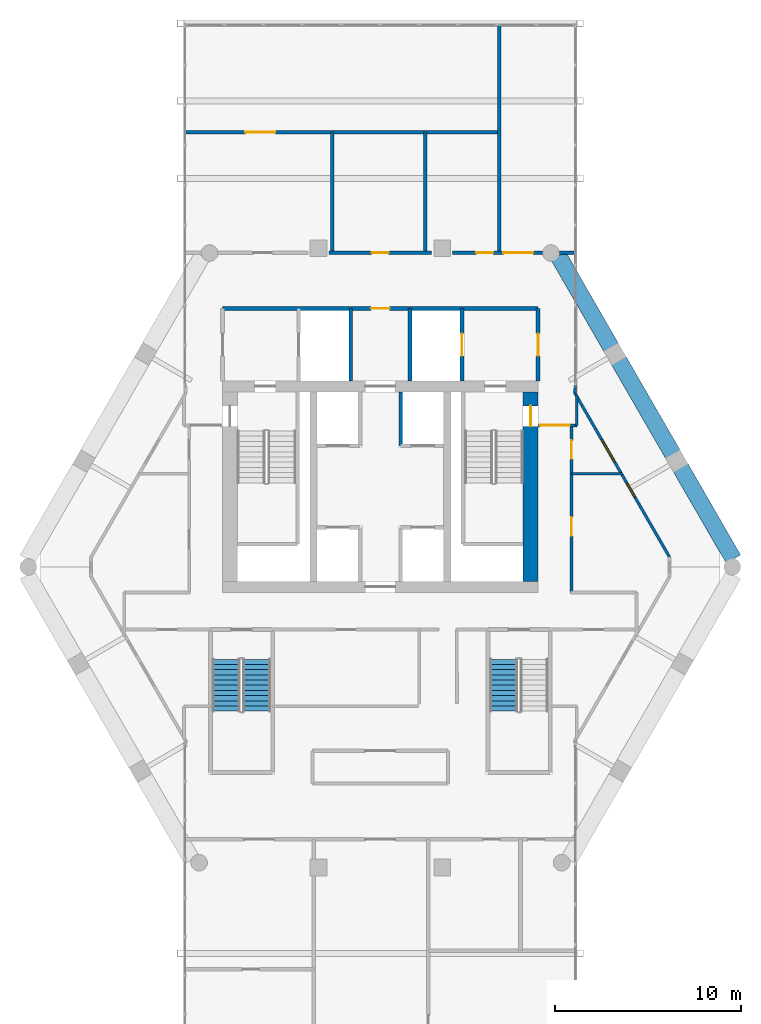
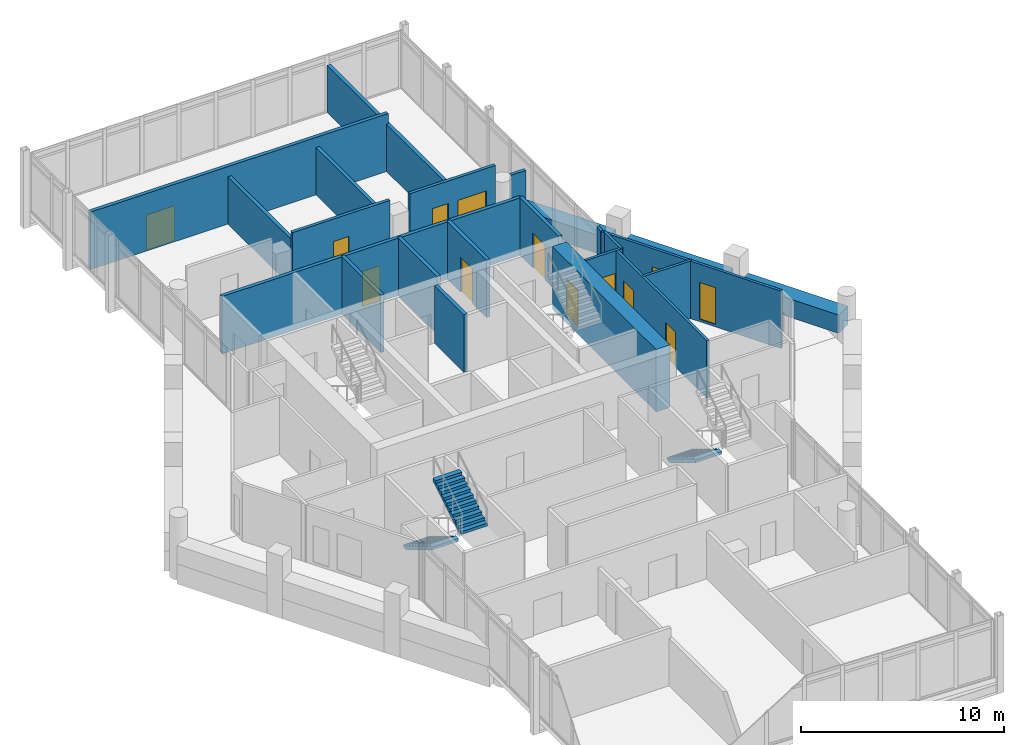
# One storey, part 23 of 25: 23 walls, 11 doors, 3 stair flights, 2 windows, 13 openings, 2 elements without a shape of their own.
"""IFC4 building model written with IfcOpenShell, lengths in metres."""

from ifc_helpers import new_model, si_unit, direction, frame, frame_2d, origin, place, context, subcontext, project, spatial, polyline, rectangle, outline, extrude, material, layer, layer_set, type_object, element, fill, aggregate, save


model = new_model("IFC4")

# Units and contexts
model_context = context("Model", 3, precision=1e-05, world=origin(), true_north=direction((0.0, 1.0)))
body_context = subcontext(model_context, "Body", "Model", "MODEL_VIEW")
ifc_project = project(units=[si_unit("LENGTHUNIT", "METRE"), si_unit("AREAUNIT", "SQUARE_METRE"), si_unit("VOLUMEUNIT", "CUBIC_METRE"), si_unit("PLANEANGLEUNIT", "RADIAN"), si_unit("MASSUNIT", "GRAM", prefix="KILO")], contexts=[model_context])

# Site, building, storey
site_placement = place(None, origin())
site = spatial("IfcSite", under=ifc_project, at=site_placement, CompositionType="ELEMENT")
building_placement = place(site_placement, origin())
building = spatial("IfcBuilding", under=site, at=building_placement, Name="Ostrander Bayou Hotel Tower", CompositionType="ELEMENT")
storey_placement = place(building_placement, frame((0.0, 0.0, 233.25)))
storey = spatial("IfcBuildingStorey", under=building, at=storey_placement, Name="L58", CompositionType="ELEMENT", Elevation=233.25)

# Wall, opening, door
ifc_material_1 = material(Name="Concrete f'c 60 MPa", Category="concrete")
ifc_layer_1 = layer(ifc_material_1, 0.800048828125)
ifc_layer_set_1 = layer_set([ifc_layer_1], Name="CW11 core spine wall 800 mm f'c 60 MPa")
wall_type_1 = type_object("IfcWallType", Name="CW11 core spine wall 800 mm f'c 60 MPa", PredefinedType="SHEAR", material=ifc_layer_set_1)
wall_1_placement = place(storey_placement, frame((8.10009765625, -1.10009765625, -0.300048828125), z_axis=(0.0, 0.0, 1.0), x_axis=(0.0, 1.0, 0.0)))
wall_1 = element("IfcWall", 1, at=wall_1_placement, inside=storey, type_object=wall_type_1, Name="CW11 L58 E", PredefinedType="SHEAR", context=body_context, shape_type="SweptSolid", body=[
    extrude(rectangle(XDim=10.2001953125, YDim=0.800048828125, at=frame_2d((5.10009765625, 0.0))), origin(), (0.0, 0.0, 1.0), 3.75),
])
opening_1_placement = place(wall_1_placement, frame((8.35009765625, 0.0, 0.0)))
opening_1 = element("IfcOpeningElement", 2, at=opening_1_placement, cuts=wall_1, Name="Opening T57-010", PredefinedType="OPENING", context=body_context, shape_type="SweptSolid", body=[
    extrude(rectangle(XDim=1.10009765625, YDim=2.10009765625, at=frame_2d((0.550048828125, 1.050048828125))), frame((0.0, 0.39990234375, 0.0), z_axis=(0.0, -1.0, 0.0), x_axis=(1.0, 0.0, 0.0)), (0.0, 0.0, 1.0), 0.800048828125),
])
ifc_material_2 = material(Name="Timber door leaf", Category="wood")
door_type_1 = type_object("IfcDoorType", Name="D5 stair door 1100 x 2100 mm, 90 minute", OperationType="SINGLE_SWING_LEFT", PredefinedType="DOOR", material=ifc_material_2)
door_1_placement = place(opening_1_placement, origin())
door_1 = element("IfcDoor", 3, at=door_1_placement, inside=storey, type_object=door_type_1, Name="dr:L58:010", OperationType="SINGLE_SWING_LEFT", OverallHeight=2.10009765625, OverallWidth=1.10009765625, PredefinedType="DOOR", context=body_context, shape_type="SweptSolid", body=[
    extrude(rectangle(XDim=1.10009765625, YDim=2.10009765625, at=frame_2d((0.550048828125, 1.050048828125))), frame((0.0, 0.02490234375, 0.0), z_axis=(0.0, -1.0, 0.0), x_axis=(1.0, 0.0, 0.0)), (0.0, 0.0, 1.0), 0.050048828125),
])
fill(opening_1, door_1)

# Wall, openings, windows
ifc_material_3 = material(Name="Aluminium framed insulated wall", Category="aluminium")
ifc_layer_2 = layer(ifc_material_3, 0.14990234375)
ifc_layer_set_2 = layer_set([ifc_layer_2], Name="GW1 glass-line wall 150 mm")
wall_type_2 = type_object("IfcWallType", Name="GW1 glass-line wall 150 mm", PredefinedType="SOLIDWALL", material=ifc_layer_set_2)
wall_2_placement = place(storey_placement, frame((15.582763671875, 0.205078125, 0.0), z_axis=(0.0, 0.0, 1.0), x_axis=(-0.49998469459, 0.866034240187, 0.0)))
wall_2 = element("IfcWall", 4, at=wall_2_placement, inside=storey, type_object=wall_type_2, Name="GW1 L58 NE 1", PredefinedType="SOLIDWALL", context=body_context, shape_type="SweptSolid", body=[
    extrude(rectangle(XDim=10.207763671875, YDim=0.14990234375, at=frame_2d((5.10400390625, 0.0))), origin(), (0.0, 0.0, 1.0), 3.449951171875),
])
opening_2_placement = place(wall_2_placement, frame((3.713623046875, 0.0, 0.14990234375)))
opening_2 = element("IfcOpeningElement", 5, at=opening_2_placement, cuts=wall_2, Name="Opening W18", PredefinedType="OPENING", context=body_context, shape_type="SweptSolid", body=[
    extrude(rectangle(XDim=0.89990234375, YDim=2.199951171875, at=frame_2d((0.449951171875, 1.10009765625))), frame((0.0, 0.074951171875, 0.0), z_axis=(0.0, -1.0, 0.0), x_axis=(1.0, 0.0, 0.0)), (0.0, 0.0, 1.0), 0.14990234375),
])
opening_3_placement = place(wall_2_placement, frame((5.913818359375, 0.0, 0.14990234375)))
opening_3 = element("IfcOpeningElement", 6, at=opening_3_placement, cuts=wall_2, Name="Opening W14", PredefinedType="OPENING", context=body_context, shape_type="SweptSolid", body=[
    extrude(rectangle(XDim=1.39990234375, YDim=2.199951171875, at=frame_2d((0.699951171875, 1.10009765625))), frame((0.0, 0.074951171875, 0.0), z_axis=(0.0, -1.0, 0.0), x_axis=(1.0, 0.0, 0.0)), (0.0, 0.0, 1.0), 0.14990234375),
])
ifc_material_4 = material(Name="Aluminium and clear glass", Category="aluminium")
window_type_1 = type_object("IfcWindowType", Name="W14 fixed window 1400 mm, bath bay, zone 4", PartitioningType="SINGLE_PANEL", PredefinedType="WINDOW", material=ifc_material_4)
window_1_placement = place(opening_3_placement, origin())
window_1 = element("IfcWindow", 7, at=window_1_placement, inside=storey, type_object=window_type_1, Name="W14 L58 NE 2", OverallHeight=2.199951171875, OverallWidth=1.39990234375, PartitioningType="SINGLE_PANEL", PredefinedType="WINDOW", context=body_context, shape_type="SweptSolid", body=[
    extrude(rectangle(XDim=1.39990234375, YDim=2.199951171875, at=frame_2d((0.699951171875, 1.10009765625))), frame((0.0, 0.030029296875, 0.0), z_axis=(0.0, -1.0, 0.0), x_axis=(1.0, 0.0, 0.0)), (0.0, 0.0, 1.0), 0.06005859375),
])
fill(opening_3, window_1)
ifc_material_5 = material(Name="Aluminium and clear glass", Category="aluminium")
window_type_2 = type_object("IfcWindowType", Name="W18 window 900 mm, zone 4", PartitioningType="SINGLE_PANEL", PredefinedType="WINDOW", material=ifc_material_5)
window_2_placement = place(opening_2_placement, origin())
window_2 = element("IfcWindow", 8, at=window_2_placement, inside=storey, type_object=window_type_2, Name="W18 L58 NE 2", OverallHeight=2.199951171875, OverallWidth=0.89990234375, PartitioningType="SINGLE_PANEL", PredefinedType="WINDOW", context=body_context, shape_type="SweptSolid", body=[
    extrude(rectangle(XDim=0.89990234375, YDim=2.199951171875, at=frame_2d((0.449951171875, 1.10009765625))), frame((0.0, 0.030029296875, 0.0), z_axis=(0.0, -1.0, 0.0), x_axis=(1.0, 0.0, 0.0)), (0.0, 0.0, 1.0), 0.06005859375),
])
fill(opening_2, window_2)

# Walls
wall_3_placement = place(storey_placement, frame((10.47900390625, 9.04541015625, 0.0), z_axis=(0.0, 0.0, 1.0), x_axis=(0.078869316502, 0.996884963732, 0.0)))
element("IfcWall", 9, at=wall_3_placement, inside=storey, type_object=wall_type_2, Name="GW1 L58 bar joint 4", PredefinedType="SOLIDWALL", context=body_context, shape_type="SweptSolid", body=[
    extrude(rectangle(XDim=0.4208984375, YDim=0.14990234375, at=frame_2d((0.21044921875, 0.0))), origin(), (0.0, 0.0, 1.0), 3.449951171875),
])
ifc_material_6 = material(Name="Concrete f'c 40 MPa", Category="concrete")
ifc_layer_3 = layer(ifc_material_6, 0.89990234375)
ifc_layer_set_3 = layer_set([ifc_layer_3], Name="PA1 stone-faced parapet 900 mm")
wall_type_3 = type_object("IfcWallType", Name="PA1 stone-faced parapet 900 mm", PredefinedType="PARAPET", material=ifc_layer_set_3)
wall_4_placement = place(storey_placement, frame((19.024169921875, 0.0947265625, 0.0), z_axis=(0.0, 0.0, 1.0), x_axis=(-0.499994028088, 0.866028851642, 0.0)))
element("IfcWall", 10, at=wall_4_placement, inside=storey, type_object=wall_type_3, Name="PA1 L58 NE-1", PredefinedType="PARAPET", context=body_context, shape_type="SweptSolid", body=[
    extrude(rectangle(XDim=5.6806640625, YDim=0.89990234375, at=frame_2d((2.84033203125, 0.0))), origin(), (0.0, 0.0, 1.0), 1.10009765625),
])
wall_5_placement = place(storey_placement, frame((15.763916015625, 5.74169921875, 0.0), z_axis=(0.0, 0.0, 1.0), x_axis=(-0.499997265274, 0.866026982673, 0.0)))
element("IfcWall", 11, at=wall_5_placement, inside=storey, type_object=wall_type_3, Name="PA1 L58 NE-2", PredefinedType="PARAPET", context=body_context, shape_type="SweptSolid", body=[
    extrude(rectangle(XDim=5.81884765625, YDim=0.89990234375, at=frame_2d((2.909423828125, 0.0))), origin(), (0.0, 0.0, 1.0), 1.10009765625),
])
wall_6_placement = place(storey_placement, frame((12.434326171875, 11.50830078125, 0.0), z_axis=(0.0, 0.0, 1.0), x_axis=(-0.499994028088, 0.866028851642, 0.0)))
element("IfcWall", 12, at=wall_6_placement, inside=storey, type_object=wall_type_3, Name="PA1 L58 NE-3", PredefinedType="PARAPET", context=body_context, shape_type="SweptSolid", body=[
    extrude(rectangle(XDim=5.6806640625, YDim=0.89990234375, at=frame_2d((2.84033203125, 0.0))), origin(), (0.0, 0.0, 1.0), 1.10009765625),
])

# Wall, opening, door
ifc_material_7 = material(Name="Gypsum board partition", Category="finish")
ifc_layer_4 = layer(ifc_material_7, 0.199951171875)
ifc_layer_set_4 = layer_set([ifc_layer_4], Name="PT3 demising wall 200 mm acoustic double stud, 1 hour")
wall_type_4 = type_object("IfcWallType", Name="PT3 demising wall 200 mm acoustic double stud, 1 hour", PredefinedType="PARTITIONING", material=ifc_layer_set_4)
wall_7_placement = place(storey_placement, frame((-10.4931640625, 23.10009765625, 0.0), z_axis=(0.0, 0.0, 1.0), x_axis=(1.0, 0.0, 0.0)))
wall_7 = element("IfcWall", 13, at=wall_7_placement, inside=storey, type_object=wall_type_4, Name="sw:L58:512", PredefinedType="PARTITIONING", context=body_context, shape_type="SweptSolid", body=[
    extrude(rectangle(XDim=16.906005859375, YDim=0.199951171875, at=frame_2d((8.453125, 0.0))), origin(), (0.0, 0.0, 1.0), 3.449951171875),
])
opening_4_placement = place(wall_7_placement, frame((3.220947265625, 0.0, 0.0)))
opening_4 = element("IfcOpeningElement", 14, at=opening_4_placement, cuts=wall_7, Name="Opening T57-1211", PredefinedType="OPENING", context=body_context, shape_type="SweptSolid", body=[
    extrude(rectangle(XDim=1.60009765625, YDim=2.10009765625, at=frame_2d((0.800048828125, 1.050048828125))), frame((0.0, 0.10009765625, 0.0), z_axis=(0.0, -1.0, 0.0), x_axis=(1.0, 0.0, 0.0)), (0.0, 0.0, 1.0), 0.199951171875),
])
ifc_material_8 = material(Name="Timber door leaf", Category="wood")
door_type_2 = type_object("IfcDoorType", Name="D13 double door 1600 x 2100 mm, 1 hour", OperationType="SINGLE_SWING_LEFT", PredefinedType="DOOR", material=ifc_material_8)
door_2_placement = place(opening_4_placement, origin())
door_2 = element("IfcDoor", 15, at=door_2_placement, inside=storey, type_object=door_type_2, Name="dr:L58:1211", OperationType="DOUBLE_DOOR_SINGLE_SWING", OverallHeight=2.10009765625, OverallWidth=1.60009765625, PredefinedType="DOOR", context=body_context, shape_type="SweptSolid", body=[
    extrude(rectangle(XDim=1.60009765625, YDim=2.10009765625, at=frame_2d((0.800048828125, 1.050048828125))), frame((0.0, 0.02490234375, 0.0), z_axis=(0.0, -1.0, 0.0), x_axis=(1.0, 0.0, 0.0)), (0.0, 0.0, 1.0), 0.050048828125),
])
fill(opening_4, door_2)

# Walls
for number, where, z_axis, x_axis, name in (
    (16, (-2.5869140625, 16.60009765625, 0.0), (0.0, 0.0, 1.0), (0.0, 1.0, 0.0), "sw:L58:514"),
    (17, (2.4130859375, 16.60009765625, 0.0), (0.0, 0.0, 1.0), (0.0, 1.0, 0.0), "sw:L58:515"),
):
    element("IfcWall", number, at=place(storey_placement, frame(where, z_axis=z_axis, x_axis=x_axis)), inside=storey, type_object=wall_type_4, Name=name, PredefinedType="PARTITIONING", context=body_context, shape_type="SweptSolid", body=[
        extrude(rectangle(XDim=6.5, YDim=0.199951171875, at=frame_2d((3.25, 0.0))), origin(), (0.0, 0.0, 1.0), 2.8388671875),
    ])
wall_8_placement = place(storey_placement, frame((6.4130859375, 16.60009765625, 0.0), z_axis=(0.0, 0.0, 1.0), x_axis=(0.0, 1.0, 0.0)))
element("IfcWall", 18, at=wall_8_placement, inside=storey, type_object=wall_type_4, Name="sw:L58:517", PredefinedType="PARTITIONING", context=body_context, shape_type="SweptSolid", body=[
    extrude(rectangle(XDim=12.24755859375, YDim=0.199951171875, at=frame_2d((6.123779296875, 0.0))), origin(), (0.0, 0.0, 1.0), 2.8388671875),
])

# Wall, opening, door
ifc_material_9 = material(Name="Gypsum board partition", Category="finish")
ifc_layer_5 = layer(ifc_material_9, 0.175048828125)
ifc_layer_set_5 = layer_set([ifc_layer_5], Name="PT4 corridor wall 175 mm, 1 hour")
wall_type_5 = type_object("IfcWallType", Name="PT4 corridor wall 175 mm, 1 hour", PredefinedType="PARTITIONING", material=ifc_layer_set_5)
wall_9_placement = place(storey_placement, frame((-2.76513671875, 16.60009765625, 0.0), z_axis=(0.0, 0.0, 1.0), x_axis=(1.0, 0.0, 0.0)))
wall_9 = element("IfcWall", 19, at=wall_9_placement, inside=storey, type_object=wall_type_5, Name="sw:L58:505", PredefinedType="PARTITIONING", context=body_context, shape_type="SweptSolid", body=[
    extrude(rectangle(XDim=5.5302734375, YDim=0.175048828125, at=frame_2d((2.76513671875, 0.0))), origin(), (0.0, 0.0, 1.0), 3.449951171875),
])
opening_5_placement = place(wall_9_placement, frame((2.315185546875, 0.0, 0.0)))
opening_5 = element("IfcOpeningElement", 20, at=opening_5_placement, cuts=wall_9, Name="Opening T57-1208", PredefinedType="OPENING", context=body_context, shape_type="SweptSolid", body=[
    extrude(rectangle(XDim=0.89990234375, YDim=2.10009765625, at=frame_2d((0.449951171875, 1.050048828125))), frame((0.0, 0.08740234375, 0.0), z_axis=(0.0, -1.0, 0.0), x_axis=(1.0, 0.0, 0.0)), (0.0, 0.0, 1.0), 0.175048828125),
])
ifc_material_10 = material(Name="Timber door leaf", Category="wood")
door_type_3 = type_object("IfcDoorType", Name="D8 room door 900 x 2100 mm", OperationType="SINGLE_SWING_LEFT", PredefinedType="DOOR", material=ifc_material_10)
door_3_placement = place(opening_5_placement, origin())
door_3 = element("IfcDoor", 21, at=door_3_placement, inside=storey, type_object=door_type_3, Name="dr:L58:1208", OperationType="SINGLE_SWING_RIGHT", OverallHeight=2.10009765625, OverallWidth=0.89990234375, PredefinedType="DOOR", context=body_context, shape_type="SweptSolid", body=[
    extrude(rectangle(XDim=0.89990234375, YDim=2.10009765625, at=frame_2d((0.449951171875, 1.050048828125))), frame((0.0, 0.02490234375, 0.0), z_axis=(0.0, -1.0, 0.0), x_axis=(1.0, 0.0, 0.0)), (0.0, 0.0, 1.0), 0.050048828125),
])
fill(opening_5, door_3)

# Wall, openings, doors
wall_10_placement = place(storey_placement, frame((3.8935546875, 16.60009765625, 0.0), z_axis=(0.0, 0.0, 1.0), x_axis=(1.0, 0.0, 0.0)))
wall_10 = element("IfcWall", 22, at=wall_10_placement, inside=storey, type_object=wall_type_5, Name="sw:L58:506", PredefinedType="PARTITIONING", context=body_context, shape_type="SweptSolid", body=[
    extrude(rectangle(XDim=4.857177734375, YDim=0.175048828125, at=frame_2d((2.4287109375, 0.0))), origin(), (0.0, 0.0, 1.0), 3.449951171875),
])
opening_6_placement = place(wall_10_placement, frame((1.2822265625, 0.0, 0.0)))
opening_6 = element("IfcOpeningElement", 23, at=opening_6_placement, cuts=wall_10, Name="Opening T57-1209", PredefinedType="OPENING", context=body_context, shape_type="SweptSolid", body=[
    extrude(rectangle(XDim=0.89990234375, YDim=2.10009765625, at=frame_2d((0.449951171875, 1.050048828125))), frame((0.0, 0.08740234375, 0.0), z_axis=(0.0, -1.0, 0.0), x_axis=(1.0, 0.0, 0.0)), (0.0, 0.0, 1.0), 0.175048828125),
])
opening_7_placement = place(wall_10_placement, frame((2.73779296875, 0.0, 0.0)))
opening_7 = element("IfcOpeningElement", 24, at=opening_7_placement, cuts=wall_10, Name="Opening T57-1210", PredefinedType="OPENING", context=body_context, shape_type="SweptSolid", body=[
    extrude(rectangle(XDim=1.60009765625, YDim=2.10009765625, at=frame_2d((0.800048828125, 1.050048828125))), frame((0.0, 0.08740234375, 0.0), z_axis=(0.0, -1.0, 0.0), x_axis=(1.0, 0.0, 0.0)), (0.0, 0.0, 1.0), 0.175048828125),
])
door_4_placement = place(opening_7_placement, origin())
door_4 = element("IfcDoor", 25, at=door_4_placement, inside=storey, type_object=door_type_2, Name="dr:L58:1210", OperationType="DOUBLE_DOOR_SINGLE_SWING", OverallHeight=2.10009765625, OverallWidth=1.60009765625, PredefinedType="DOOR", context=body_context, shape_type="SweptSolid", body=[
    extrude(rectangle(XDim=1.60009765625, YDim=2.10009765625, at=frame_2d((0.800048828125, 1.050048828125))), frame((0.0, 0.02490234375, 0.0), z_axis=(0.0, -1.0, 0.0), x_axis=(1.0, 0.0, 0.0)), (0.0, 0.0, 1.0), 0.050048828125),
])
fill(opening_7, door_4)
door_5_placement = place(opening_6_placement, origin())
door_5 = element("IfcDoor", 26, at=door_5_placement, inside=storey, type_object=door_type_3, Name="dr:L58:1209", OperationType="SINGLE_SWING_LEFT", OverallHeight=2.10009765625, OverallWidth=0.89990234375, PredefinedType="DOOR", context=body_context, shape_type="SweptSolid", body=[
    extrude(rectangle(XDim=0.89990234375, YDim=2.10009765625, at=frame_2d((0.449951171875, 1.050048828125))), frame((0.0, 0.02490234375, 0.0), z_axis=(0.0, -1.0, 0.0), x_axis=(1.0, 0.0, 0.0)), (0.0, 0.0, 1.0), 0.050048828125),
])
fill(opening_6, door_5)

# Wall
wall_11_placement = place(storey_placement, frame((9.6484375, 16.60009765625, 0.0), z_axis=(0.0, 0.0, 1.0), x_axis=(1.0, 0.0, 0.0)))
element("IfcWall", 27, at=wall_11_placement, inside=storey, type_object=wall_type_5, Name="sw:L58:507", PredefinedType="PARTITIONING", context=body_context, shape_type="SweptSolid", body=[
    extrude(rectangle(XDim=0.8447265625, YDim=0.175048828125, at=frame_2d((0.42236328125, 0.0))), origin(), (0.0, 0.0, 1.0), 2.550048828125),
])

# Wall, opening, door
ifc_material_11 = material(Name="Masonry block", Category="masonry")
ifc_layer_6 = layer(ifc_material_11, 0.199951171875)
ifc_layer_set_6 = layer_set([ifc_layer_6], Name="PT5 stair enclosure wall 200 mm masonry, 2 hour")
wall_type_6 = type_object("IfcWallType", Name="PT5 stair enclosure wall 200 mm masonry, 2 hour", PredefinedType="PARTITIONING", material=ifc_layer_set_6)
wall_12_placement = place(storey_placement, frame((-8.5, 13.60009765625, 0.0), z_axis=(0.0, 0.0, 1.0), x_axis=(1.0, 0.0, 0.0)))
wall_12 = element("IfcWall", 28, at=wall_12_placement, inside=storey, type_object=wall_type_6, Name="cs:L58:021", PredefinedType="PARTITIONING", context=body_context, shape_type="SweptSolid", body=[
    extrude(rectangle(XDim=17.0, YDim=0.199951171875, at=frame_2d((8.5, 0.0))), origin(), (0.0, 0.0, 1.0), 3.449951171875),
])
opening_8_placement = place(wall_12_placement, frame((8.0, 0.0, 0.0)))
opening_8 = element("IfcOpeningElement", 29, at=opening_8_placement, cuts=wall_12, Name="Opening T57-017", PredefinedType="OPENING", context=body_context, shape_type="SweptSolid", body=[
    extrude(rectangle(XDim=1.0, YDim=2.10009765625, at=frame_2d((0.5, 1.050048828125))), frame((0.0, 0.10009765625, 0.0), z_axis=(0.0, -1.0, 0.0), x_axis=(1.0, 0.0, 0.0)), (0.0, 0.0, 1.0), 0.199951171875),
])
ifc_material_12 = material(Name="Timber door leaf", Category="wood")
door_type_4 = type_object("IfcDoorType", Name="D9 service door 1000 x 2100 mm, 30 minute", OperationType="SINGLE_SWING_LEFT", PredefinedType="DOOR", material=ifc_material_12)
door_6_placement = place(opening_8_placement, origin())
door_6 = element("IfcDoor", 30, at=door_6_placement, inside=storey, type_object=door_type_4, Name="dr:L58:017", OperationType="SINGLE_SWING_LEFT", OverallHeight=2.10009765625, OverallWidth=1.0, PredefinedType="DOOR", context=body_context, shape_type="SweptSolid", body=[
    extrude(rectangle(XDim=1.0, YDim=2.10009765625, at=frame_2d((0.5, 1.050048828125))), frame((0.0, 0.02490234375, 0.0), z_axis=(0.0, -1.0, 0.0), x_axis=(1.0, 0.0, 0.0)), (0.0, 0.0, 1.0), 0.050048828125),
])
fill(opening_8, door_6)

wall_13_placement = place(storey_placement, frame((8.5, 9.699951171875, 0.0), z_axis=(0.0, 0.0, 1.0), x_axis=(0.0, 1.0, 0.0)))
wall_13 = element("IfcWall", 31, at=wall_13_placement, inside=storey, type_object=wall_type_6, Name="cs:L58:023", PredefinedType="PARTITIONING", context=body_context, shape_type="SweptSolid", body=[
    extrude(rectangle(XDim=3.900146484375, YDim=0.199951171875, at=frame_2d((1.9501953125, 0.0))), origin(), (0.0, 0.0, 1.0), 3.449951171875),
])
opening_9_placement = place(wall_13_placement, frame((1.35009765625, 0.0, 0.0)))
opening_9 = element("IfcOpeningElement", 32, at=opening_9_placement, cuts=wall_13, Name="Opening T57-016", PredefinedType="OPENING", context=body_context, shape_type="SweptSolid", body=[
    extrude(rectangle(XDim=1.199951171875, YDim=2.10009765625, at=frame_2d((0.60009765625, 1.050048828125))), frame((0.0, 0.10009765625, 0.0), z_axis=(0.0, -1.0, 0.0), x_axis=(1.0, 0.0, 0.0)), (0.0, 0.0, 1.0), 0.199951171875),
])
ifc_material_13 = material(Name="Timber door leaf", Category="wood")
door_type_5 = type_object("IfcDoorType", Name="D7 lobby door 1200 x 2100 mm, 1 hour", OperationType="SINGLE_SWING_LEFT", PredefinedType="DOOR", material=ifc_material_13)
door_7_placement = place(opening_9_placement, origin())
door_7 = element("IfcDoor", 33, at=door_7_placement, inside=storey, type_object=door_type_5, Name="dr:L58:016", OperationType="SINGLE_SWING_LEFT", OverallHeight=2.10009765625, OverallWidth=1.199951171875, PredefinedType="DOOR", context=body_context, shape_type="SweptSolid", body=[
    extrude(rectangle(XDim=1.199951171875, YDim=2.10009765625, at=frame_2d((0.60009765625, 1.050048828125))), frame((0.0, 0.02490234375, 0.0), z_axis=(0.0, -1.0, 0.0), x_axis=(1.0, 0.0, 0.0)), (0.0, 0.0, 1.0), 0.050048828125),
])
fill(opening_9, door_7)

wall_14_placement = place(storey_placement, frame((4.39990234375, 9.699951171875, 0.0), z_axis=(0.0, 0.0, 1.0), x_axis=(0.0, 1.0, 0.0)))
wall_14 = element("IfcWall", 34, at=wall_14_placement, inside=storey, type_object=wall_type_6, Name="cs:L58:025", PredefinedType="PARTITIONING", context=body_context, shape_type="SweptSolid", body=[
    extrude(rectangle(XDim=3.900146484375, YDim=0.199951171875, at=frame_2d((1.9501953125, 0.0))), origin(), (0.0, 0.0, 1.0), 3.449951171875),
])
opening_10_placement = place(wall_14_placement, frame((1.35009765625, 0.0, 0.0)))
opening_10 = element("IfcOpeningElement", 35, at=opening_10_placement, cuts=wall_14, Name="Opening T57-015", PredefinedType="OPENING", context=body_context, shape_type="SweptSolid", body=[
    extrude(rectangle(XDim=1.199951171875, YDim=2.10009765625, at=frame_2d((0.60009765625, 1.050048828125))), frame((0.0, 0.10009765625, 0.0), z_axis=(0.0, -1.0, 0.0), x_axis=(1.0, 0.0, 0.0)), (0.0, 0.0, 1.0), 0.199951171875),
])
ifc_material_14 = material(Name="Stainless steel sliding door", Category="steel")
door_type_6 = type_object("IfcDoorType", Name="LD1 lift landing door 1200 x 2100 mm", OperationType="SINGLE_SWING_LEFT", PredefinedType="DOOR", material=ifc_material_14)
door_8_placement = place(opening_10_placement, origin())
door_8 = element("IfcDoor", 36, at=door_8_placement, inside=storey, type_object=door_type_6, Name="dr:L58:015", OperationType="SLIDING_TO_LEFT", OverallHeight=2.10009765625, OverallWidth=1.199951171875, PredefinedType="DOOR", context=body_context, shape_type="SweptSolid", body=[
    extrude(rectangle(XDim=1.199951171875, YDim=2.10009765625, at=frame_2d((0.60009765625, 1.050048828125))), frame((0.0, 0.02490234375, 0.0), z_axis=(0.0, -1.0, 0.0), x_axis=(1.0, 0.0, 0.0)), (0.0, 0.0, 1.0), 0.050048828125),
])
fill(opening_10, door_8)

# Walls
ifc_material_15 = material(Name="Masonry block", Category="masonry")
ifc_layer_7 = layer(ifc_material_15, 0.199951171875)
ifc_layer_set_7 = layer_set([ifc_layer_7], Name="PT6 lift shaft wall 200 mm masonry, 2 hour")
wall_type_7 = type_object("IfcWallType", Name="PT6 lift shaft wall 200 mm masonry, 2 hour", PredefinedType="PARTITIONING", material=ifc_layer_set_7)
wall_15_placement = place(storey_placement, frame((1.10009765625, 6.199951171875, 0.0), z_axis=(0.0, 0.0, 1.0), x_axis=(0.0, 1.0, 0.0)))
element("IfcWall", 37, at=wall_15_placement, inside=storey, type_object=wall_type_7, Name="cs:L58:008", PredefinedType="PARTITIONING", context=body_context, shape_type="SweptSolid", body=[
    extrude(rectangle(XDim=2.900146484375, YDim=0.199951171875, at=frame_2d((1.4501953125, 0.0))), origin(), (0.0, 0.0, 1.0), 3.449951171875),
])
for number, where, z_axis, x_axis, name in (
    (38, (-1.60009765625, 9.699951171875, 0.0), (0.0, 0.0, 1.0), (0.0, 1.0, 0.0), "cs:L58:026"),
    (39, (1.60009765625, 9.699951171875, 0.0), (0.0, 0.0, 1.0), (0.0, 1.0, 0.0), "cs:L58:027"),
):
    element("IfcWall", number, at=place(storey_placement, frame(where, z_axis=z_axis, x_axis=x_axis)), inside=storey, type_object=wall_type_7, Name=name, PredefinedType="PARTITIONING", context=body_context, shape_type="SweptSolid", body=[
        extrude(rectangle(XDim=3.900146484375, YDim=0.199951171875, at=frame_2d((1.9501953125, 0.0))), origin(), (0.0, 0.0, 1.0), 3.449951171875),
    ])
ifc_material_16 = material(Name="Gypsum board partition", Category="finish")
ifc_layer_8 = layer(ifc_material_16, 0.14990234375)
ifc_layer_set_8 = layer_set([ifc_layer_8], Name="PT8 service band wall 150 mm, 1 hour")
wall_type_8 = type_object("IfcWallType", Name="PT8 service band wall 150 mm, 1 hour", PredefinedType="PARTITIONING", material=ifc_layer_set_8)
wall_16_placement = place(storey_placement, frame((10.300048828125, 4.699951171875, 0.0), z_axis=(0.0, 0.0, 1.0), x_axis=(1.0, 0.0, 0.0)))
element("IfcWall", 40, at=wall_16_placement, inside=storey, type_object=wall_type_8, Name="gw:L58:011", PredefinedType="PARTITIONING", context=body_context, shape_type="SweptSolid", body=[
    extrude(rectangle(XDim=2.739990234375, YDim=0.14990234375, at=frame_2d((1.3701171875, 0.0))), origin(), (0.0, 0.0, 1.0), 3.449951171875),
])

# Wall, opening, door
wall_17_placement = place(storey_placement, frame((8.510009765625, 7.300048828125, 0.0), z_axis=(0.0, 0.0, 1.0), x_axis=(1.0, 0.0, 0.0)))
wall_17 = element("IfcWall", 41, at=wall_17_placement, inside=storey, type_object=wall_type_8, Name="gw:L58:013", PredefinedType="PARTITIONING", context=body_context, shape_type="SweptSolid", body=[
    extrude(rectangle(XDim=2.074951171875, YDim=0.14990234375, at=frame_2d((1.03759765625, 0.0))), origin(), (0.0, 0.0, 1.0), 3.449951171875),
])
opening_11_placement = place(wall_17_placement, frame((0.10009765625, 0.0, 0.0)))
opening_11 = element("IfcOpeningElement", 42, at=opening_11_placement, cuts=wall_17, Name="Opening T57-1213", PredefinedType="OPENING", context=body_context, shape_type="SweptSolid", body=[
    extrude(rectangle(XDim=1.60009765625, YDim=2.10009765625, at=frame_2d((0.800048828125, 1.050048828125))), frame((0.0, 0.074951171875, 0.0), z_axis=(0.0, -1.0, 0.0), x_axis=(1.0, 0.0, 0.0)), (0.0, 0.0, 1.0), 0.14990234375),
])
door_9_placement = place(opening_11_placement, origin())
door_9 = element("IfcDoor", 43, at=door_9_placement, inside=storey, type_object=door_type_2, Name="dr:L58:1213", OperationType="DOUBLE_DOOR_SINGLE_SWING", OverallHeight=2.10009765625, OverallWidth=1.60009765625, PredefinedType="DOOR", context=body_context, shape_type="SweptSolid", body=[
    extrude(rectangle(XDim=1.60009765625, YDim=2.10009765625, at=frame_2d((0.800048828125, 1.050048828125))), frame((0.0, 0.02490234375, 0.0), z_axis=(0.0, -1.0, 0.0), x_axis=(1.0, 0.0, 0.0)), (0.0, 0.0, 1.0), 0.050048828125),
])
fill(opening_11, door_9)

# Wall
wall_18_placement = place(storey_placement, frame((10.5849609375, 7.300048828125, 0.0), z_axis=(0.0, 0.0, 1.0), x_axis=(0.0, 1.0, 0.0)))
element("IfcWall", 44, at=wall_18_placement, inside=storey, type_object=wall_type_8, Name="gw:L58:016", PredefinedType="PARTITIONING", context=body_context, shape_type="SweptSolid", body=[
    extrude(rectangle(XDim=1.65185546875, YDim=0.14990234375, at=frame_2d((0.825927734375, 0.0))), origin(), (0.0, 0.0, 1.0), 3.449951171875),
])

# Wall, openings, doors
wall_19_placement = place(storey_placement, frame((10.300048828125, -1.699951171875, 0.0), z_axis=(0.0, 0.0, 1.0), x_axis=(0.0, 1.0, 0.0)))
wall_19 = element("IfcWall", 45, at=wall_19_placement, inside=storey, type_object=wall_type_8, Name="gw:L58:017", PredefinedType="PARTITIONING", context=body_context, shape_type="SweptSolid", body=[
    extrude(rectangle(XDim=9.0, YDim=0.14990234375, at=frame_2d((4.5, 0.0))), origin(), (0.0, 0.0, 1.0), 3.449951171875),
])
opening_12_placement = place(wall_19_placement, frame((3.053955078125, 0.0, 0.0)))
opening_12 = element("IfcOpeningElement", 46, at=opening_12_placement, cuts=wall_19, Name="Opening T57-405", PredefinedType="OPENING", context=body_context, shape_type="SweptSolid", body=[
    extrude(rectangle(XDim=1.0, YDim=2.10009765625, at=frame_2d((0.5, 1.050048828125))), frame((0.0, 0.074951171875, 0.0), z_axis=(0.0, -1.0, 0.0), x_axis=(1.0, 0.0, 0.0)), (0.0, 0.0, 1.0), 0.14990234375),
])
opening_13_placement = place(wall_19_placement, frame((7.199951171875, 0.0, 0.0)))
opening_13 = element("IfcOpeningElement", 47, at=opening_13_placement, cuts=wall_19, Name="Opening T57-406", PredefinedType="OPENING", context=body_context, shape_type="SweptSolid", body=[
    extrude(rectangle(XDim=1.0, YDim=2.10009765625, at=frame_2d((0.5, 1.050048828125))), frame((0.0, 0.074951171875, 0.0), z_axis=(0.0, -1.0, 0.0), x_axis=(1.0, 0.0, 0.0)), (0.0, 0.0, 1.0), 0.14990234375),
])
ifc_material_17 = material(Name="Timber door leaf", Category="wood")
door_type_7 = type_object("IfcDoorType", Name="D15 room door 1000 x 2100 mm", OperationType="SINGLE_SWING_LEFT", PredefinedType="DOOR", material=ifc_material_17)
door_10_placement = place(opening_12_placement, origin())
door_10 = element("IfcDoor", 48, at=door_10_placement, inside=storey, type_object=door_type_7, Name="dr:L58:405", OperationType="SINGLE_SWING_RIGHT", OverallHeight=2.10009765625, OverallWidth=1.0, PredefinedType="DOOR", context=body_context, shape_type="SweptSolid", body=[
    extrude(rectangle(XDim=1.0, YDim=2.10009765625, at=frame_2d((0.5, 1.050048828125))), frame((0.0, 0.02490234375, 0.0), z_axis=(0.0, -1.0, 0.0), x_axis=(1.0, 0.0, 0.0)), (0.0, 0.0, 1.0), 0.050048828125),
])
fill(opening_12, door_10)
door_11_placement = place(opening_13_placement, origin())
door_11 = element("IfcDoor", 49, at=door_11_placement, inside=storey, type_object=door_type_4, Name="dr:L58:406", OperationType="SINGLE_SWING_LEFT", OverallHeight=2.10009765625, OverallWidth=1.0, PredefinedType="DOOR", context=body_context, shape_type="SweptSolid", body=[
    extrude(rectangle(XDim=1.0, YDim=2.10009765625, at=frame_2d((0.5, 1.050048828125))), frame((0.0, 0.02490234375, 0.0), z_axis=(0.0, -1.0, 0.0), x_axis=(1.0, 0.0, 0.0)), (0.0, 0.0, 1.0), 0.050048828125),
])
fill(opening_13, door_11)

# Stair, stair flight
ifc_material_18 = material(Name="Concrete f'c 45 MPa", Category="concrete")
stair_type = type_object("IfcStairType", Name="ST1 exit stair 1500 mm f'c 45 MPa", PredefinedType="HALF_TURN_STAIR", material=ifc_material_18)
stair_1_placement = place(storey_placement, origin())
stair_1 = element("IfcStair", 50, at=stair_1_placement, inside=storey, type_object=stair_type, Name="L58 exit stair C", PredefinedType="HALF_TURN_STAIR")
ifc_material_19 = material(Name="Concrete f'c 45 MPa", Category="concrete")
stair_flight_type = type_object("IfcStairFlightType", Name="SF1 stair flight 1500 mm f'c 45 MPa", PredefinedType="STRAIGHT", material=ifc_material_19)
stair_flight_1_placement = place(storey_placement, frame((6.64990234375, -5.300048828125, 0.0), z_axis=(0.0, 0.0, 1.0), x_axis=(0.0, -1.0, 0.0)))
stair_flight_1 = element("IfcStairFlight", 51, at=stair_flight_1_placement, type_object=stair_flight_type, Name="STC flight 1", NumberOfRisers=11, NumberOfTreads=10, PredefinedType="STRAIGHT", RiserHeight=0.170454545, TreadLength=0.28, context=body_context, shape_type="SweptSolid", body=[
    extrude(outline(polyline([(0.0, 0.0), (0.0, 0.17041015625), (0.280029296875, 0.17041015625), (0.280029296875, 0.3408203125), (0.56005859375, 0.3408203125), (0.56005859375, 0.511474609375), (0.840087890625, 0.511474609375), (0.840087890625, 0.681884765625), (1.1201171875, 0.681884765625), (1.1201171875, 0.852294921875), (1.39990234375, 0.852294921875), (1.39990234375, 1.022705078125), (1.679931640625, 1.022705078125), (1.679931640625, 1.193115234375), (1.9599609375, 1.193115234375), (1.9599609375, 1.363525390625), (2.239990234375, 1.363525390625), (2.239990234375, 1.5341796875), (2.52001953125, 1.5341796875), (2.52001953125, 1.70458984375), (2.800048828125, 1.70458984375), (2.800048828125, 1.875), (2.800048828125, 1.529052734375), (0.288330078125, 0.0), (0.0, 0.0)])), frame((0.0, 0.75, 0.0), z_axis=(0.0, -1.0, 0.0), x_axis=(1.0, 0.0, 0.0)), (0.0, 0.0, 1.0), 1.5),
])
aggregate(stair_1, [stair_flight_1])

# Stair, stair flights
stair_2_placement = place(storey_placement, origin())
stair_2 = element("IfcStair", 52, at=stair_2_placement, inside=storey, type_object=stair_type, Name="L58 exit stair D", PredefinedType="HALF_TURN_STAIR")
stair_flight_2_placement = place(storey_placement, frame((-8.300048828125, -5.300048828125, 0.0), z_axis=(0.0, 0.0, 1.0), x_axis=(0.0, -1.0, 0.0)))
stair_flight_2 = element("IfcStairFlight", 53, at=stair_flight_2_placement, type_object=stair_flight_type, Name="STD flight 1", NumberOfRisers=11, NumberOfTreads=10, PredefinedType="STRAIGHT", RiserHeight=0.170454545, TreadLength=0.28, context=body_context, shape_type="SweptSolid", body=[
    extrude(outline(polyline([(0.0, 0.0), (0.0, 0.17041015625), (0.280029296875, 0.17041015625), (0.280029296875, 0.3408203125), (0.56005859375, 0.3408203125), (0.56005859375, 0.511474609375), (0.840087890625, 0.511474609375), (0.840087890625, 0.681884765625), (1.1201171875, 0.681884765625), (1.1201171875, 0.852294921875), (1.39990234375, 0.852294921875), (1.39990234375, 1.022705078125), (1.679931640625, 1.022705078125), (1.679931640625, 1.193115234375), (1.9599609375, 1.193115234375), (1.9599609375, 1.363525390625), (2.239990234375, 1.363525390625), (2.239990234375, 1.5341796875), (2.52001953125, 1.5341796875), (2.52001953125, 1.70458984375), (2.800048828125, 1.70458984375), (2.800048828125, 1.875), (2.800048828125, 1.529052734375), (0.288330078125, 0.0), (0.0, 0.0)])), frame((0.0, 0.75, 0.0), z_axis=(0.0, -1.0, 0.0), x_axis=(1.0, 0.0, 0.0)), (0.0, 0.0, 1.0), 1.5),
])
stair_flight_3_placement = place(storey_placement, frame((-6.64990234375, -8.10009765625, 1.875), z_axis=(0.0, 0.0, 1.0), x_axis=(0.0, 1.0, 0.0)))
stair_flight_3 = element("IfcStairFlight", 54, at=stair_flight_3_placement, type_object=stair_flight_type, Name="STD flight 2", NumberOfRisers=11, NumberOfTreads=10, PredefinedType="STRAIGHT", RiserHeight=0.170454545, TreadLength=0.28, context=body_context, shape_type="SweptSolid", body=[
    extrude(outline(polyline([(0.0, 0.0), (0.0, 0.17041015625), (0.280029296875, 0.17041015625), (0.280029296875, 0.3408203125), (0.56005859375, 0.3408203125), (0.56005859375, 0.511474609375), (0.840087890625, 0.511474609375), (0.840087890625, 0.681884765625), (1.1201171875, 0.681884765625), (1.1201171875, 0.852294921875), (1.39990234375, 0.852294921875), (1.39990234375, 1.022705078125), (1.679931640625, 1.022705078125), (1.679931640625, 1.193115234375), (1.9599609375, 1.193115234375), (1.9599609375, 1.363525390625), (2.239990234375, 1.363525390625), (2.239990234375, 1.5341796875), (2.52001953125, 1.5341796875), (2.52001953125, 1.70458984375), (2.800048828125, 1.70458984375), (2.800048828125, 1.875), (2.800048828125, 1.529052734375), (0.288330078125, 0.0), (0.0, 0.0)])), frame((0.0, 0.75, 0.0), z_axis=(0.0, -1.0, 0.0), x_axis=(1.0, 0.0, 0.0)), (0.0, 0.0, 1.0), 1.5),
])
aggregate(stair_2, [stair_flight_2, stair_flight_3])

save(model, "model.ifc")
